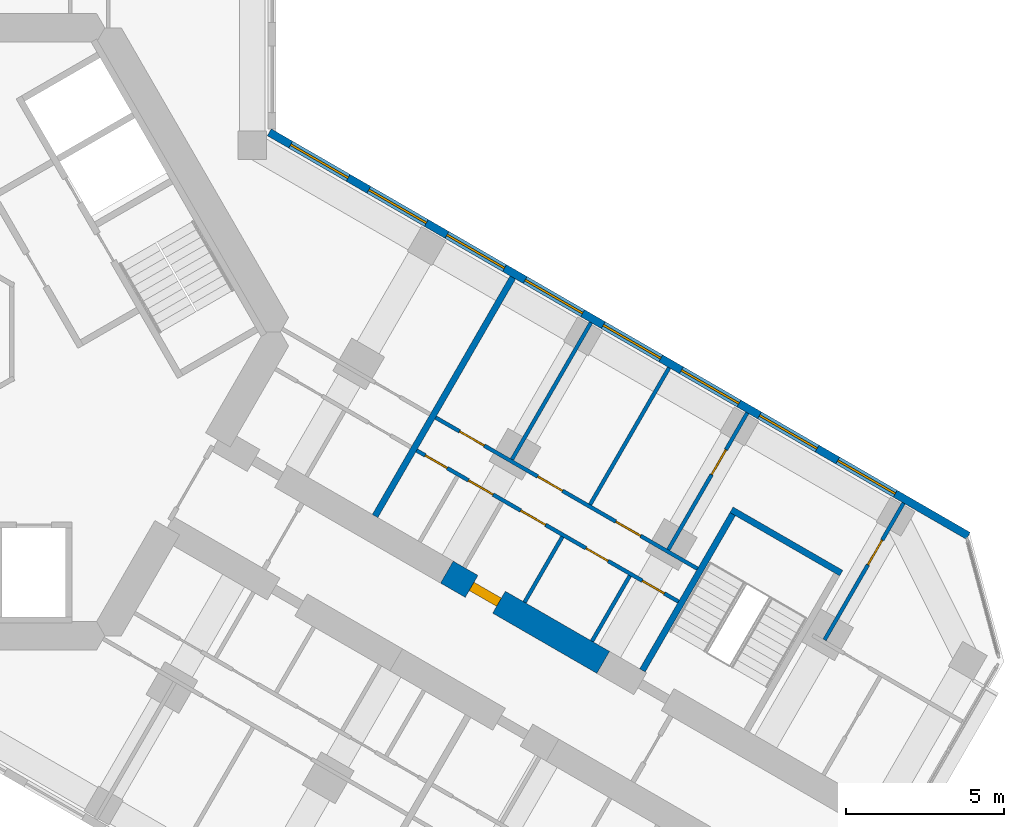
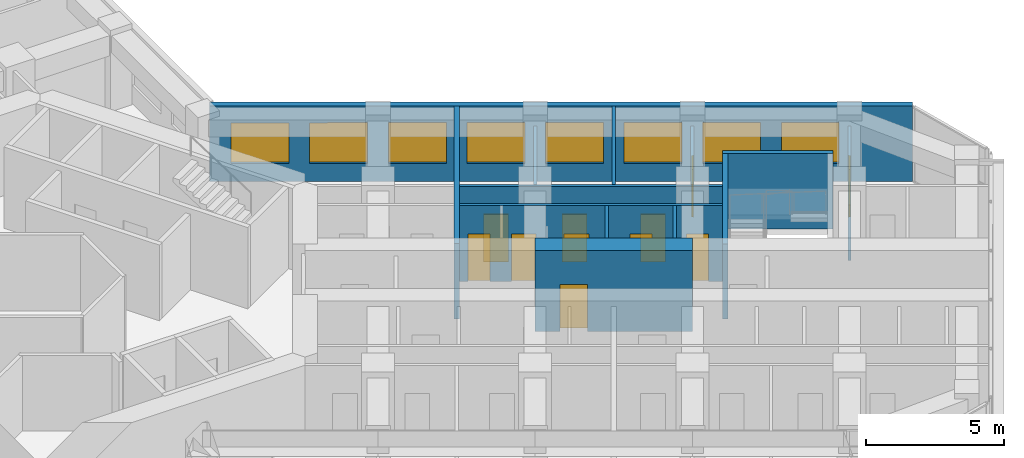
# One storey, part 16 of 20: 13 walls, 11 doors, 8 windows, 19 openings.
"""IFC4 building model written with IfcOpenShell, lengths in metres."""

from ifc_helpers import new_model, si_unit, direction, frame, frame_2d, origin, place, context, subcontext, project, spatial, rectangle, extrude, material, layer, layer_set, type_object, element, fill, save


model = new_model("IFC4")

# Units and contexts
model_context = context("Model", 3, precision=1e-05, world=origin(), true_north=direction((0.0, 1.0)))
body_context = subcontext(model_context, "Body", "Model", "MODEL_VIEW")
ifc_project = project(units=[si_unit("LENGTHUNIT", "METRE"), si_unit("AREAUNIT", "SQUARE_METRE"), si_unit("VOLUMEUNIT", "CUBIC_METRE"), si_unit("PLANEANGLEUNIT", "RADIAN"), si_unit("MASSUNIT", "GRAM", prefix="KILO")], contexts=[model_context])

# Site, building, storey
site_placement = place(None, origin())
site = spatial("IfcSite", under=ifc_project, at=site_placement, CompositionType="ELEMENT")
building_placement = place(site_placement, origin())
building = spatial("IfcBuilding", under=site, at=building_placement, Name="Kosmar Iwan School Tower", CompositionType="ELEMENT")
storey_placement = place(building_placement, frame((0.0, 0.0, 176.0)))
storey = spatial("IfcBuildingStorey", under=building, at=storey_placement, Name="L44", CompositionType="ELEMENT", Elevation=176.0)

# Wall, opening, door
ifc_material_1 = material(Name="Concrete C50/60", Category="concrete")
ifc_layer_1 = layer(ifc_material_1, 0.800048828125)
ifc_layer_set_1 = layer_set([ifc_layer_1], Name="Corridor buttress wall 800")
wall_type_1 = type_object("IfcWallType", Name="Corridor buttress wall 800", PredefinedType="SHEAR", material=ifc_layer_set_1)
wall_1_placement = place(storey_placement, frame((16.34521484375, -7.58935546875, 0.0), z_axis=(0.0, 0.0, 1.0), x_axis=(0.866015111908, -0.50001782563, 0.0)))
wall_1 = element("IfcWall", 1, at=wall_1_placement, inside=storey, type_object=wall_type_1, Name="Corridor wall CL bay 2", PredefinedType="SHEAR", context=body_context, shape_type="SweptSolid", body=[
    extrude(rectangle(XDim=5.699951171875, YDim=0.800048828125, at=frame_2d((2.85009765625, 0.0))), origin(), (0.0, 0.0, 1.0), 3.60009765625),
])
opening_1_placement = place(wall_1_placement, frame((0.89990234375, 0.0, 0.0)))
opening_1 = element("IfcOpeningElement", 2, at=opening_1_placement, cuts=wall_1, Name="Opening D1", PredefinedType="OPENING", context=body_context, shape_type="SweptSolid", body=[
    extrude(rectangle(XDim=1.0, YDim=2.10009765625, at=frame_2d((0.5, 1.050048828125))), frame((0.0, 0.412109375, 0.0), z_axis=(0.0, -1.0, 0.0), x_axis=(1.0, 0.0, 0.0)), (0.0, 0.0, 1.0), 0.823974609375),
])
ifc_material_2 = material(Name="Timber fire door in steel frame", Category="steel")
door_type_1 = type_object("IfcDoorType", Name="Flat entrance door 1000x2100", OperationType="SINGLE_SWING_LEFT", PredefinedType="DOOR", material=ifc_material_2)
door_1_placement = place(opening_1_placement, origin())
door_1 = element("IfcDoor", 3, at=door_1_placement, inside=storey, type_object=door_type_1, Name="Flat L44-CL2 entrance door", OperationType="SINGLE_SWING_LEFT", OverallHeight=2.10009765625, OverallWidth=1.0, PredefinedType="DOOR", context=body_context, shape_type="SweptSolid", body=[
    extrude(rectangle(XDim=1.0, YDim=2.10009765625, at=frame_2d((0.5, 1.050048828125))), frame((0.0, 0.14990234375, 0.0), z_axis=(0.0, -1.0, 0.0), x_axis=(1.0, 0.0, 0.0)), (0.0, 0.0, 1.0), 0.300048828125),
])
fill(opening_1, door_1)

# Wall, openings, doors
ifc_material_3 = material(Name="Gypsum board on steel studs", Category="steel")
ifc_layer_2 = layer(ifc_material_3, 0.1201171875)
ifc_layer_set_2 = layer_set([ifc_layer_2], Name="Dwelling partition 120")
wall_type_2 = type_object("IfcWallType", Name="Dwelling partition 120", PredefinedType="PARTITIONING", material=ifc_layer_set_2)
wall_2_placement = place(storey_placement, frame((15.388671875, -3.74609375, 0.0), z_axis=(0.0, 0.0, 1.0), x_axis=(0.866017851049, -0.500013081493, 0.0)))
wall_2 = element("IfcWall", 4, at=wall_2_placement, inside=storey, type_object=wall_type_2, Name="Partition L44-CL2-W1", PredefinedType="PARTITIONING", context=body_context, shape_type="SweptSolid", body=[
    extrude(rectangle(XDim=9.550048828125, YDim=0.1201171875, at=frame_2d((4.77490234375, 0.0))), origin(), (0.0, 0.0, 1.0), 3.35009765625),
])
opening_2_placement = place(wall_2_placement, frame((0.3125, 0.0, 0.0)))
opening_2 = element("IfcOpeningElement", 5, at=opening_2_placement, cuts=wall_2, Name="Opening D3", PredefinedType="OPENING", context=body_context, shape_type="SweptSolid", body=[
    extrude(rectangle(XDim=0.800048828125, YDim=2.10009765625, at=frame_2d((0.39990234375, 1.050048828125))), frame((0.0, 0.072021484375, 0.0), z_axis=(0.0, -1.0, 0.0), x_axis=(1.0, 0.0, 0.0)), (0.0, 0.0, 1.0), 0.14404296875),
])
opening_3_placement = place(wall_2_placement, frame((1.887451171875, 0.0, 0.0)))
opening_3 = element("IfcOpeningElement", 6, at=opening_3_placement, cuts=wall_2, Name="Opening D2", PredefinedType="OPENING", context=body_context, shape_type="SweptSolid", body=[
    extrude(rectangle(XDim=0.89990234375, YDim=2.10009765625, at=frame_2d((0.449951171875, 1.050048828125))), frame((0.0, 0.072021484375, 0.0), z_axis=(0.0, -1.0, 0.0), x_axis=(1.0, 0.0, 0.0)), (0.0, 0.0, 1.0), 0.14404296875),
])
opening_4_placement = place(wall_2_placement, frame((3.800048828125, 0.0, 0.0)))
opening_4 = element("IfcOpeningElement", 7, at=opening_4_placement, cuts=wall_2, Name="Opening D2", PredefinedType="OPENING", context=body_context, shape_type="SweptSolid", body=[
    extrude(rectangle(XDim=0.89990234375, YDim=2.10009765625, at=frame_2d((0.449951171875, 1.050048828125))), frame((0.0, 0.072021484375, 0.0), z_axis=(0.0, -1.0, 0.0), x_axis=(1.0, 0.0, 0.0)), (0.0, 0.0, 1.0), 0.14404296875),
])
opening_5_placement = place(wall_2_placement, frame((6.179931640625, 0.0, 0.0)))
opening_5 = element("IfcOpeningElement", 8, at=opening_5_placement, cuts=wall_2, Name="Opening D3", PredefinedType="OPENING", context=body_context, shape_type="SweptSolid", body=[
    extrude(rectangle(XDim=0.800048828125, YDim=2.10009765625, at=frame_2d((0.39990234375, 1.050048828125))), frame((0.0, 0.072021484375, 0.0), z_axis=(0.0, -1.0, 0.0), x_axis=(1.0, 0.0, 0.0)), (0.0, 0.0, 1.0), 0.14404296875),
])
opening_6_placement = place(wall_2_placement, frame((8.22998046875, 0.0, 0.0)))
opening_6 = element("IfcOpeningElement", 9, at=opening_6_placement, cuts=wall_2, Name="Opening D3", PredefinedType="OPENING", context=body_context, shape_type="SweptSolid", body=[
    extrude(rectangle(XDim=0.800048828125, YDim=2.10009765625, at=frame_2d((0.39990234375, 1.050048828125))), frame((0.0, 0.072021484375, 0.0), z_axis=(0.0, -1.0, 0.0), x_axis=(1.0, 0.0, 0.0)), (0.0, 0.0, 1.0), 0.14404296875),
])
ifc_material_4 = material(Name="Timber door in timber frame", Category="wood")
door_type_2 = type_object("IfcDoorType", Name="Internal door 900x2100", OperationType="SINGLE_SWING_LEFT", PredefinedType="DOOR", material=ifc_material_4)
door_2_placement = place(opening_3_placement, frame((0.89990234375, 0.0, 0.0), z_axis=(0.0, 0.0, 1.0), x_axis=(-1.0, 0.0, 0.0)))
door_2 = element("IfcDoor", 10, at=door_2_placement, inside=storey, type_object=door_type_2, Name="Pantry door L44-CL2-S2", OperationType="SINGLE_SWING_RIGHT", OverallHeight=2.10009765625, OverallWidth=0.89990234375, PredefinedType="DOOR", context=body_context, shape_type="SweptSolid", body=[
    extrude(rectangle(XDim=0.89990234375, YDim=2.10009765625, at=frame_2d((0.449951171875, 1.050048828125))), frame((0.0, 0.02490234375, 0.0), z_axis=(0.0, -1.0, 0.0), x_axis=(1.0, 0.0, 0.0)), (0.0, 0.0, 1.0), 0.050048828125),
])
fill(opening_3, door_2)
door_3_placement = place(opening_4_placement, origin())
door_3 = element("IfcDoor", 11, at=door_3_placement, inside=storey, type_object=door_type_2, Name="Entrance hall door L44-CL2-S3", OperationType="SINGLE_SWING_LEFT", OverallHeight=2.10009765625, OverallWidth=0.89990234375, PredefinedType="DOOR", context=body_context, shape_type="SweptSolid", body=[
    extrude(rectangle(XDim=0.89990234375, YDim=2.10009765625, at=frame_2d((0.449951171875, 1.050048828125))), frame((0.0, 0.02490234375, 0.0), z_axis=(0.0, -1.0, 0.0), x_axis=(1.0, 0.0, 0.0)), (0.0, 0.0, 1.0), 0.050048828125),
])
fill(opening_4, door_3)
ifc_material_5 = material(Name="Timber door in timber frame", Category="wood")
door_type_3 = type_object("IfcDoorType", Name="Sanitary room door 800x2100", OperationType="SINGLE_SWING_LEFT", PredefinedType="DOOR", material=ifc_material_5)
door_4_placement = place(opening_2_placement, origin())
door_4 = element("IfcDoor", 12, at=door_4_placement, inside=storey, type_object=door_type_3, Name="Store door L44-CL2-S1", OperationType="SINGLE_SWING_LEFT", OverallHeight=2.10009765625, OverallWidth=0.800048828125, PredefinedType="DOOR", context=body_context, shape_type="SweptSolid", body=[
    extrude(rectangle(XDim=0.800048828125, YDim=2.10009765625, at=frame_2d((0.39990234375, 1.050048828125))), frame((0.0, 0.02490234375, 0.0), z_axis=(0.0, -1.0, 0.0), x_axis=(1.0, 0.0, 0.0)), (0.0, 0.0, 1.0), 0.050048828125),
])
fill(opening_2, door_4)
door_5_placement = place(opening_5_placement, origin())
door_5 = element("IfcDoor", 13, at=door_5_placement, inside=storey, type_object=door_type_3, Name="Bathroom door L44-CL2-S4", OperationType="SINGLE_SWING_RIGHT", OverallHeight=2.10009765625, OverallWidth=0.800048828125, PredefinedType="DOOR", context=body_context, shape_type="SweptSolid", body=[
    extrude(rectangle(XDim=0.800048828125, YDim=2.10009765625, at=frame_2d((0.39990234375, 1.050048828125))), frame((0.0, 0.02490234375, 0.0), z_axis=(0.0, -1.0, 0.0), x_axis=(1.0, 0.0, 0.0)), (0.0, 0.0, 1.0), 0.050048828125),
])
fill(opening_5, door_5)
door_6_placement = place(opening_6_placement, origin())
door_6 = element("IfcDoor", 14, at=door_6_placement, inside=storey, type_object=door_type_3, Name="WC door L44-CL2-S5", OperationType="SINGLE_SWING_RIGHT", OverallHeight=2.10009765625, OverallWidth=0.800048828125, PredefinedType="DOOR", context=body_context, shape_type="SweptSolid", body=[
    extrude(rectangle(XDim=0.800048828125, YDim=2.10009765625, at=frame_2d((0.39990234375, 1.050048828125))), frame((0.0, 0.02490234375, 0.0), z_axis=(0.0, -1.0, 0.0), x_axis=(1.0, 0.0, 0.0)), (0.0, 0.0, 1.0), 0.050048828125),
])
fill(opening_6, door_6)

wall_3_placement = place(storey_placement, frame((15.988525390625, -2.70703125, 0.0), z_axis=(0.0, 0.0, 1.0), x_axis=(0.866028920859, -0.499993908199, 0.0)))
wall_3 = element("IfcWall", 15, at=wall_3_placement, inside=storey, type_object=wall_type_2, Name="Partition L44-CL2-W2", PredefinedType="PARTITIONING", context=body_context, shape_type="SweptSolid", body=[
    extrude(rectangle(XDim=9.5498046875, YDim=0.1201171875, at=frame_2d((4.77490234375, 0.0))), origin(), (0.0, 0.0, 1.0), 3.35009765625),
])
opening_7_placement = place(wall_3_placement, frame((0.875, 0.0, 0.0)))
opening_7 = element("IfcOpeningElement", 16, at=opening_7_placement, cuts=wall_3, Name="Opening D2", PredefinedType="OPENING", context=body_context, shape_type="SweptSolid", body=[
    extrude(rectangle(XDim=0.89990234375, YDim=2.10009765625, at=frame_2d((0.449951171875, 1.050048828125))), frame((0.0, 0.072021484375, 0.0), z_axis=(0.0, -1.0, 0.0), x_axis=(1.0, 0.0, 0.0)), (0.0, 0.0, 1.0), 0.14404296875),
])
opening_8_placement = place(wall_3_placement, frame((3.72509765625, 0.0, 0.0)))
opening_8 = element("IfcOpeningElement", 17, at=opening_8_placement, cuts=wall_3, Name="Opening D2", PredefinedType="OPENING", context=body_context, shape_type="SweptSolid", body=[
    extrude(rectangle(XDim=0.89990234375, YDim=2.10009765625, at=frame_2d((0.449951171875, 1.050048828125))), frame((0.0, 0.072021484375, 0.0), z_axis=(0.0, -1.0, 0.0), x_axis=(1.0, 0.0, 0.0)), (0.0, 0.0, 1.0), 0.14404296875),
])
opening_9_placement = place(wall_3_placement, frame((6.574951171875, 0.0, 0.0)))
opening_9 = element("IfcOpeningElement", 18, at=opening_9_placement, cuts=wall_3, Name="Opening D2", PredefinedType="OPENING", context=body_context, shape_type="SweptSolid", body=[
    extrude(rectangle(XDim=0.89990234375, YDim=2.10009765625, at=frame_2d((0.449951171875, 1.050048828125))), frame((0.0, 0.072021484375, 0.0), z_axis=(0.0, -1.0, 0.0), x_axis=(1.0, 0.0, 0.0)), (0.0, 0.0, 1.0), 0.14404296875),
])
door_7_placement = place(opening_7_placement, origin())
door_7 = element("IfcDoor", 19, at=door_7_placement, inside=storey, type_object=door_type_2, Name="Guest reception room door L44-CL2-F1", OperationType="SINGLE_SWING_RIGHT", OverallHeight=2.10009765625, OverallWidth=0.89990234375, PredefinedType="DOOR", context=body_context, shape_type="SweptSolid", body=[
    extrude(rectangle(XDim=0.89990234375, YDim=2.10009765625, at=frame_2d((0.449951171875, 1.050048828125))), frame((0.0, 0.02490234375, 0.0), z_axis=(0.0, -1.0, 0.0), x_axis=(1.0, 0.0, 0.0)), (0.0, 0.0, 1.0), 0.050048828125),
])
fill(opening_7, door_7)
door_8_placement = place(opening_8_placement, origin())
door_8 = element("IfcDoor", 20, at=door_8_placement, inside=storey, type_object=door_type_2, Name="Family room and kitchen door L44-CL2-F2", OperationType="SINGLE_SWING_LEFT", OverallHeight=2.10009765625, OverallWidth=0.89990234375, PredefinedType="DOOR", context=body_context, shape_type="SweptSolid", body=[
    extrude(rectangle(XDim=0.89990234375, YDim=2.10009765625, at=frame_2d((0.449951171875, 1.050048828125))), frame((0.0, 0.02490234375, 0.0), z_axis=(0.0, -1.0, 0.0), x_axis=(1.0, 0.0, 0.0)), (0.0, 0.0, 1.0), 0.050048828125),
])
fill(opening_8, door_8)
door_9_placement = place(opening_9_placement, origin())
door_9 = element("IfcDoor", 21, at=door_9_placement, inside=storey, type_object=door_type_2, Name="Bedroom 1 door L44-CL2-F3", OperationType="SINGLE_SWING_RIGHT", OverallHeight=2.10009765625, OverallWidth=0.89990234375, PredefinedType="DOOR", context=body_context, shape_type="SweptSolid", body=[
    extrude(rectangle(XDim=0.89990234375, YDim=2.10009765625, at=frame_2d((0.449951171875, 1.050048828125))), frame((0.0, 0.02490234375, 0.0), z_axis=(0.0, -1.0, 0.0), x_axis=(1.0, 0.0, 0.0)), (0.0, 0.0, 1.0), 0.050048828125),
])
fill(opening_9, door_9)

# Walls
wall_4_placement = place(storey_placement, frame((18.400146484375, -4.030029296875, 0.0), z_axis=(0.0, 0.0, 1.0), x_axis=(0.500011847778, 0.866018563358, 0.0)))
element("IfcWall", 22, at=wall_4_placement, inside=storey, type_object=wall_type_2, Name="Partition L44-CL2-X1", PredefinedType="PARTITIONING", context=body_context, shape_type="SweptSolid", body=[
    extrude(rectangle(XDim=4.990234375, YDim=0.1201171875, at=frame_2d((2.4951171875, 0.0))), origin(), (0.0, 0.0, 1.0), 2.449951171875),
])
wall_5_placement = place(storey_placement, frame((20.868408203125, -5.455078125, 0.0), z_axis=(0.0, 0.0, 1.0), x_axis=(0.499975153383, 0.86603974851, 0.0)))
element("IfcWall", 23, at=wall_5_placement, inside=storey, type_object=wall_type_2, Name="Partition L44-CL2-X2", PredefinedType="PARTITIONING", context=body_context, shape_type="SweptSolid", body=[
    extrude(rectangle(XDim=4.989990234375, YDim=0.1201171875, at=frame_2d((2.4951171875, 0.0))), origin(), (0.0, 0.0, 1.0), 3.35009765625),
])
for number, where, z_axis, x_axis, name in (
    (24, (18.796875, -8.54296875, 0.0), (0.0, 0.0, 1.0), (0.500017192868, 0.86601547725, 0.0), "Partition L44-CL2-Y3"),
    (25, (20.92724609375, -9.77294921875, 0.0), (0.0, 0.0, 1.0), (0.500017192868, 0.86601547725, 0.0), "Partition L44-CL2-Y4"),
):
    element("IfcWall", number, at=place(storey_placement, frame(where, z_axis=z_axis, x_axis=x_axis)), inside=storey, type_object=wall_type_2, Name=name, PredefinedType="PARTITIONING", context=body_context, shape_type="SweptSolid", body=[
        extrude(rectangle(XDim=2.39013671875, YDim=0.1201171875, at=frame_2d((1.195068359375, 0.0))), origin(), (0.0, 0.0, 1.0), 3.35009765625),
    ])

# Wall, opening, door
wall_6_placement = place(storey_placement, frame((23.33642578125, -6.8798828125, 0.0), z_axis=(0.0, 0.0, 1.0), x_axis=(0.500033033937, 0.866006330792, 0.0)))
wall_6 = element("IfcWall", 26, at=wall_6_placement, inside=storey, type_object=wall_type_2, Name="Partition L44-CL2-TB", PredefinedType="PARTITIONING", context=body_context, shape_type="SweptSolid", body=[
    extrude(rectangle(XDim=4.989990234375, YDim=0.1201171875, at=frame_2d((2.4951171875, 0.0))), origin(), (0.0, 0.0, 1.0), 2.449951171875),
])
opening_10_placement = place(wall_6_placement, frame((2.739990234375, 0.0, 0.0)))
opening_10 = element("IfcOpeningElement", 27, at=opening_10_placement, cuts=wall_6, Name="Opening D2", PredefinedType="OPENING", context=body_context, shape_type="SweptSolid", body=[
    extrude(rectangle(XDim=0.89990234375, YDim=2.10009765625, at=frame_2d((0.449951171875, 1.050048828125))), frame((0.0, 0.072021484375, 0.0), z_axis=(0.0, -1.0, 0.0), x_axis=(1.0, 0.0, 0.0)), (0.0, 0.0, 1.0), 0.14404296875),
])
door_10_placement = place(opening_10_placement, origin())
door_10 = element("IfcDoor", 28, at=door_10_placement, inside=storey, type_object=door_type_2, Name="Study door L44-CL2-F3", OperationType="SINGLE_SWING_RIGHT", OverallHeight=2.10009765625, OverallWidth=0.89990234375, PredefinedType="DOOR", context=body_context, shape_type="SweptSolid", body=[
    extrude(rectangle(XDim=0.89990234375, YDim=2.10009765625, at=frame_2d((0.449951171875, 1.050048828125))), frame((0.0, 0.02490234375, 0.0), z_axis=(0.0, -1.0, 0.0), x_axis=(1.0, 0.0, 0.0)), (0.0, 0.0, 1.0), 0.050048828125),
])
fill(opening_10, door_10)

wall_7_placement = place(storey_placement, frame((28.27294921875, -9.72998046875, 0.0), z_axis=(0.0, 0.0, 1.0), x_axis=(0.499975153383, 0.86603974851, 0.0)))
wall_7 = element("IfcWall", 29, at=wall_7_placement, inside=storey, type_object=wall_type_2, Name="Partition L44-CL2-TX", PredefinedType="PARTITIONING", context=body_context, shape_type="SweptSolid", body=[
    extrude(rectangle(XDim=4.989990234375, YDim=0.1201171875, at=frame_2d((2.4951171875, 0.0))), origin(), (0.0, 0.0, 1.0), 2.449951171875),
])
opening_11_placement = place(wall_7_placement, frame((2.739990234375, 0.0, 0.0)))
opening_11 = element("IfcOpeningElement", 30, at=opening_11_placement, cuts=wall_7, Name="Opening D2", PredefinedType="OPENING", context=body_context, shape_type="SweptSolid", body=[
    extrude(rectangle(XDim=0.89990234375, YDim=2.10009765625, at=frame_2d((0.449951171875, 1.050048828125))), frame((0.0, 0.072021484375, 0.0), z_axis=(0.0, -1.0, 0.0), x_axis=(1.0, 0.0, 0.0)), (0.0, 0.0, 1.0), 0.14404296875),
])
door_11_placement = place(opening_11_placement, origin())
door_11 = element("IfcDoor", 31, at=door_11_placement, inside=storey, type_object=door_type_2, Name="Study door L44-CL2-T1", OperationType="SINGLE_SWING_RIGHT", OverallHeight=2.10009765625, OverallWidth=0.89990234375, PredefinedType="DOOR", context=body_context, shape_type="SweptSolid", body=[
    extrude(rectangle(XDim=0.89990234375, YDim=2.10009765625, at=frame_2d((0.449951171875, 1.050048828125))), frame((0.0, 0.02490234375, 0.0), z_axis=(0.0, -1.0, 0.0), x_axis=(1.0, 0.0, 0.0)), (0.0, 0.0, 1.0), 0.050048828125),
])
fill(opening_11, door_11)

# Walls
ifc_material_6 = material(Name="Concrete C35/45", Category="concrete")
ifc_layer_3 = layer(ifc_material_6, 0.199951171875)
ifc_layer_set_3 = layer_set([ifc_layer_3], Name="Escape stair wall 200")
wall_type_3 = type_object("IfcWallType", Name="Escape stair wall 200", PredefinedType="SHEAR", material=ifc_layer_set_3)
wall_8_placement = place(storey_placement, frame((22.520751953125, -10.69287109375, 0.0), z_axis=(0.0, 0.0, 1.0), x_axis=(0.500006628179, 0.86602157697, 0.0)))
element("IfcWall", 32, at=wall_8_placement, inside=storey, type_object=wall_type_3, Name="Stair WS3 wall", PredefinedType="SHEAR", context=body_context, shape_type="SweptSolid", body=[
    extrude(rectangle(XDim=5.89990234375, YDim=0.199951171875, at=frame_2d((2.949951171875, 0.0))), origin(), (0.0, 0.0, 1.0), 3.330078125),
])
wall_9_placement = place(storey_placement, frame((25.334228515625, -5.6201171875, 0.0), z_axis=(0.0, 0.0, 1.0), x_axis=(0.866026010844, -0.49999894854, 0.0)))
element("IfcWall", 33, at=wall_9_placement, inside=storey, type_object=wall_type_3, Name="Stair WS3 wall", PredefinedType="SHEAR", context=body_context, shape_type="SweptSolid", body=[
    extrude(rectangle(XDim=4.0, YDim=0.199951171875, at=frame_2d((2.0, 0.0))), origin(), (0.0, 0.0, 1.0), 3.330078125),
])

# Wall, openings, windows
ifc_material_7 = material(Name="Black aluminium rainscreen on insulated framing", Category="aluminium")
ifc_layer_4 = layer(ifc_material_7, 0.25)
ifc_layer_set_4 = layer_set([ifc_layer_4], Name="External wall rainscreen 250")
wall_type_4 = type_object("IfcWallType", Name="External wall rainscreen 250", PredefinedType="SOLIDWALL", material=ifc_layer_set_4)
wall_10_placement = place(storey_placement, frame((10.73681640625, 6.30078125, 0.0), z_axis=(0.0, 0.0, 1.0), x_axis=(0.866026390279, -0.499998291337, 0.0)))
wall_10 = element("IfcWall", 34, at=wall_10_placement, inside=storey, type_object=wall_type_4, Name="External wall CL L44", PredefinedType="SOLIDWALL", context=body_context, shape_type="SweptSolid", body=[
    extrude(rectangle(XDim=25.4873046875, YDim=0.25, at=frame_2d((12.74365234375, 0.0))), origin(), (0.0, 0.0, 1.0), 3.35009765625),
])
opening_12_placement = place(wall_10_placement, frame((0.777099609375, 0.0, 0.800048828125)))
opening_12 = element("IfcOpeningElement", 35, at=opening_12_placement, cuts=wall_10, Name="Opening W4", PredefinedType="OPENING", context=body_context, shape_type="SweptSolid", body=[
    extrude(rectangle(XDim=2.10009765625, YDim=1.800048828125, at=frame_2d((1.050048828125, 0.89990234375))), frame((0.0, 0.136962890625, 0.0), z_axis=(0.0, -1.0, 0.0), x_axis=(1.0, 0.0, 0.0)), (0.0, 0.0, 1.0), 0.27392578125),
])
opening_13_placement = place(wall_10_placement, frame((3.626953125, 0.0, 0.800048828125)))
opening_13 = element("IfcOpeningElement", 36, at=opening_13_placement, cuts=wall_10, Name="Opening W4", PredefinedType="OPENING", context=body_context, shape_type="SweptSolid", body=[
    extrude(rectangle(XDim=2.10009765625, YDim=1.800048828125, at=frame_2d((1.050048828125, 0.89990234375))), frame((0.0, 0.136962890625, 0.0), z_axis=(0.0, -1.0, 0.0), x_axis=(1.0, 0.0, 0.0)), (0.0, 0.0, 1.0), 0.27392578125),
])
opening_14_placement = place(wall_10_placement, frame((6.47705078125, 0.0, 0.800048828125)))
opening_14 = element("IfcOpeningElement", 37, at=opening_14_placement, cuts=wall_10, Name="Opening W4", PredefinedType="OPENING", context=body_context, shape_type="SweptSolid", body=[
    extrude(rectangle(XDim=2.10009765625, YDim=1.800048828125, at=frame_2d((1.050048828125, 0.89990234375))), frame((0.0, 0.136962890625, 0.0), z_axis=(0.0, -1.0, 0.0), x_axis=(1.0, 0.0, 0.0)), (0.0, 0.0, 1.0), 0.27392578125),
])
opening_15_placement = place(wall_10_placement, frame((9.326904296875, 0.0, 0.800048828125)))
opening_15 = element("IfcOpeningElement", 38, at=opening_15_placement, cuts=wall_10, Name="Opening W4", PredefinedType="OPENING", context=body_context, shape_type="SweptSolid", body=[
    extrude(rectangle(XDim=2.10009765625, YDim=1.800048828125, at=frame_2d((1.050048828125, 0.89990234375))), frame((0.0, 0.136962890625, 0.0), z_axis=(0.0, -1.0, 0.0), x_axis=(1.0, 0.0, 0.0)), (0.0, 0.0, 1.0), 0.27392578125),
])
opening_16_placement = place(wall_10_placement, frame((12.177001953125, 0.0, 0.800048828125)))
opening_16 = element("IfcOpeningElement", 39, at=opening_16_placement, cuts=wall_10, Name="Opening W4", PredefinedType="OPENING", context=body_context, shape_type="SweptSolid", body=[
    extrude(rectangle(XDim=2.10009765625, YDim=1.800048828125, at=frame_2d((1.050048828125, 0.89990234375))), frame((0.0, 0.136962890625, 0.0), z_axis=(0.0, -1.0, 0.0), x_axis=(1.0, 0.0, 0.0)), (0.0, 0.0, 1.0), 0.27392578125),
])
opening_17_placement = place(wall_10_placement, frame((15.027099609375, 0.0, 0.800048828125)))
opening_17 = element("IfcOpeningElement", 40, at=opening_17_placement, cuts=wall_10, Name="Opening W4", PredefinedType="OPENING", context=body_context, shape_type="SweptSolid", body=[
    extrude(rectangle(XDim=2.10009765625, YDim=1.800048828125, at=frame_2d((1.050048828125, 0.89990234375))), frame((0.0, 0.136962890625, 0.0), z_axis=(0.0, -1.0, 0.0), x_axis=(1.0, 0.0, 0.0)), (0.0, 0.0, 1.0), 0.27392578125),
])
opening_18_placement = place(wall_10_placement, frame((17.876953125, 0.0, 0.800048828125)))
opening_18 = element("IfcOpeningElement", 41, at=opening_18_placement, cuts=wall_10, Name="Opening W4", PredefinedType="OPENING", context=body_context, shape_type="SweptSolid", body=[
    extrude(rectangle(XDim=2.10009765625, YDim=1.800048828125, at=frame_2d((1.050048828125, 0.89990234375))), frame((0.0, 0.136962890625, 0.0), z_axis=(0.0, -1.0, 0.0), x_axis=(1.0, 0.0, 0.0)), (0.0, 0.0, 1.0), 0.27392578125),
])
opening_19_placement = place(wall_10_placement, frame((20.72705078125, 0.0, 0.800048828125)))
opening_19 = element("IfcOpeningElement", 42, at=opening_19_placement, cuts=wall_10, Name="Opening W4", PredefinedType="OPENING", context=body_context, shape_type="SweptSolid", body=[
    extrude(rectangle(XDim=2.10009765625, YDim=1.800048828125, at=frame_2d((1.050048828125, 0.89990234375))), frame((0.0, 0.136962890625, 0.0), z_axis=(0.0, -1.0, 0.0), x_axis=(1.0, 0.0, 0.0)), (0.0, 0.0, 1.0), 0.27392578125),
])
ifc_material_8 = material(Name="Black aluminium frame with dark triple glazing", Category="aluminium")
window_type = type_object("IfcWindowType", Name="Window 2100x1800", PartitioningType="SINGLE_PANEL", PredefinedType="WINDOW", material=ifc_material_8)
window_1_placement = place(opening_12_placement, origin())
window_1 = element("IfcWindow", 43, at=window_1_placement, inside=storey, type_object=window_type, Name="Window CL L44 -1", OverallHeight=1.800048828125, OverallWidth=2.10009765625, PartitioningType="SINGLE_PANEL", PredefinedType="WINDOW", context=body_context, shape_type="SweptSolid", body=[
    extrude(rectangle(XDim=2.10009765625, YDim=1.800048828125, at=frame_2d((1.050048828125, 0.89990234375))), frame((0.0, 0.030029296875, 0.0), z_axis=(0.0, -1.0, 0.0), x_axis=(1.0, 0.0, 0.0)), (0.0, 0.0, 1.0), 0.06005859375),
])
fill(opening_12, window_1)
window_2_placement = place(opening_13_placement, origin())
window_2 = element("IfcWindow", 44, at=window_2_placement, inside=storey, type_object=window_type, Name="Window CL L44 0", OverallHeight=1.800048828125, OverallWidth=2.10009765625, PartitioningType="SINGLE_PANEL", PredefinedType="WINDOW", context=body_context, shape_type="SweptSolid", body=[
    extrude(rectangle(XDim=2.10009765625, YDim=1.800048828125, at=frame_2d((1.050048828125, 0.89990234375))), frame((0.0, 0.030029296875, 0.0), z_axis=(0.0, -1.0, 0.0), x_axis=(1.0, 0.0, 0.0)), (0.0, 0.0, 1.0), 0.06005859375),
])
fill(opening_13, window_2)
window_3_placement = place(opening_14_placement, origin())
window_3 = element("IfcWindow", 45, at=window_3_placement, inside=storey, type_object=window_type, Name="Window CL L44 1", OverallHeight=1.800048828125, OverallWidth=2.10009765625, PartitioningType="SINGLE_PANEL", PredefinedType="WINDOW", context=body_context, shape_type="SweptSolid", body=[
    extrude(rectangle(XDim=2.10009765625, YDim=1.800048828125, at=frame_2d((1.050048828125, 0.89990234375))), frame((0.0, 0.030029296875, 0.0), z_axis=(0.0, -1.0, 0.0), x_axis=(1.0, 0.0, 0.0)), (0.0, 0.0, 1.0), 0.06005859375),
])
fill(opening_14, window_3)
window_4_placement = place(opening_15_placement, origin())
window_4 = element("IfcWindow", 46, at=window_4_placement, inside=storey, type_object=window_type, Name="Window CL L44 2", OverallHeight=1.800048828125, OverallWidth=2.10009765625, PartitioningType="SINGLE_PANEL", PredefinedType="WINDOW", context=body_context, shape_type="SweptSolid", body=[
    extrude(rectangle(XDim=2.10009765625, YDim=1.800048828125, at=frame_2d((1.050048828125, 0.89990234375))), frame((0.0, 0.030029296875, 0.0), z_axis=(0.0, -1.0, 0.0), x_axis=(1.0, 0.0, 0.0)), (0.0, 0.0, 1.0), 0.06005859375),
])
fill(opening_15, window_4)
window_5_placement = place(opening_16_placement, origin())
window_5 = element("IfcWindow", 47, at=window_5_placement, inside=storey, type_object=window_type, Name="Window CL L44 3", OverallHeight=1.800048828125, OverallWidth=2.10009765625, PartitioningType="SINGLE_PANEL", PredefinedType="WINDOW", context=body_context, shape_type="SweptSolid", body=[
    extrude(rectangle(XDim=2.10009765625, YDim=1.800048828125, at=frame_2d((1.050048828125, 0.89990234375))), frame((0.0, 0.030029296875, 0.0), z_axis=(0.0, -1.0, 0.0), x_axis=(1.0, 0.0, 0.0)), (0.0, 0.0, 1.0), 0.06005859375),
])
fill(opening_16, window_5)
window_6_placement = place(opening_17_placement, origin())
window_6 = element("IfcWindow", 48, at=window_6_placement, inside=storey, type_object=window_type, Name="Window CL L44 4", OverallHeight=1.800048828125, OverallWidth=2.10009765625, PartitioningType="SINGLE_PANEL", PredefinedType="WINDOW", context=body_context, shape_type="SweptSolid", body=[
    extrude(rectangle(XDim=2.10009765625, YDim=1.800048828125, at=frame_2d((1.050048828125, 0.89990234375))), frame((0.0, 0.030029296875, 0.0), z_axis=(0.0, -1.0, 0.0), x_axis=(1.0, 0.0, 0.0)), (0.0, 0.0, 1.0), 0.06005859375),
])
fill(opening_17, window_6)
window_7_placement = place(opening_18_placement, origin())
window_7 = element("IfcWindow", 49, at=window_7_placement, inside=storey, type_object=window_type, Name="Window CL L44 5", OverallHeight=1.800048828125, OverallWidth=2.10009765625, PartitioningType="SINGLE_PANEL", PredefinedType="WINDOW", context=body_context, shape_type="SweptSolid", body=[
    extrude(rectangle(XDim=2.10009765625, YDim=1.800048828125, at=frame_2d((1.050048828125, 0.89990234375))), frame((0.0, 0.030029296875, 0.0), z_axis=(0.0, -1.0, 0.0), x_axis=(1.0, 0.0, 0.0)), (0.0, 0.0, 1.0), 0.06005859375),
])
fill(opening_18, window_7)
window_8_placement = place(opening_19_placement, origin())
window_8 = element("IfcWindow", 50, at=window_8_placement, inside=storey, type_object=window_type, Name="Window CL L44 6", OverallHeight=1.800048828125, OverallWidth=2.10009765625, PartitioningType="SINGLE_PANEL", PredefinedType="WINDOW", context=body_context, shape_type="SweptSolid", body=[
    extrude(rectangle(XDim=2.10009765625, YDim=1.800048828125, at=frame_2d((1.050048828125, 0.89990234375))), frame((0.0, 0.030029296875, 0.0), z_axis=(0.0, -1.0, 0.0), x_axis=(1.0, 0.0, 0.0)), (0.0, 0.0, 1.0), 0.06005859375),
])
fill(opening_19, window_8)

# Wall
ifc_material_9 = material(Name="Concrete block masonry", Category="masonry")
ifc_layer_5 = layer(ifc_material_9, 0.199951171875)
ifc_layer_set_5 = layer_set([ifc_layer_5], Name="Party wall 200")
wall_type_5 = type_object("IfcWallType", Name="Party wall 200", PredefinedType="PARTITIONING", material=ifc_layer_set_5)
wall_11_placement = place(storey_placement, frame((14.076904296875, -5.81787109375, 0.0), z_axis=(0.0, 0.0, 1.0), x_axis=(0.500008278454, 0.866020624164, 0.0)))
element("IfcWall", 51, at=wall_11_placement, inside=storey, type_object=wall_type_5, Name="Partition L44-CL2-PW", PredefinedType="PARTITIONING", context=body_context, shape_type="SweptSolid", body=[
    extrude(rectangle(XDim=8.699951171875, YDim=0.199951171875, at=frame_2d((4.35009765625, 0.0))), origin(), (0.0, 0.0, 1.0), 3.35009765625),
])

save(model, "model.ifc")
